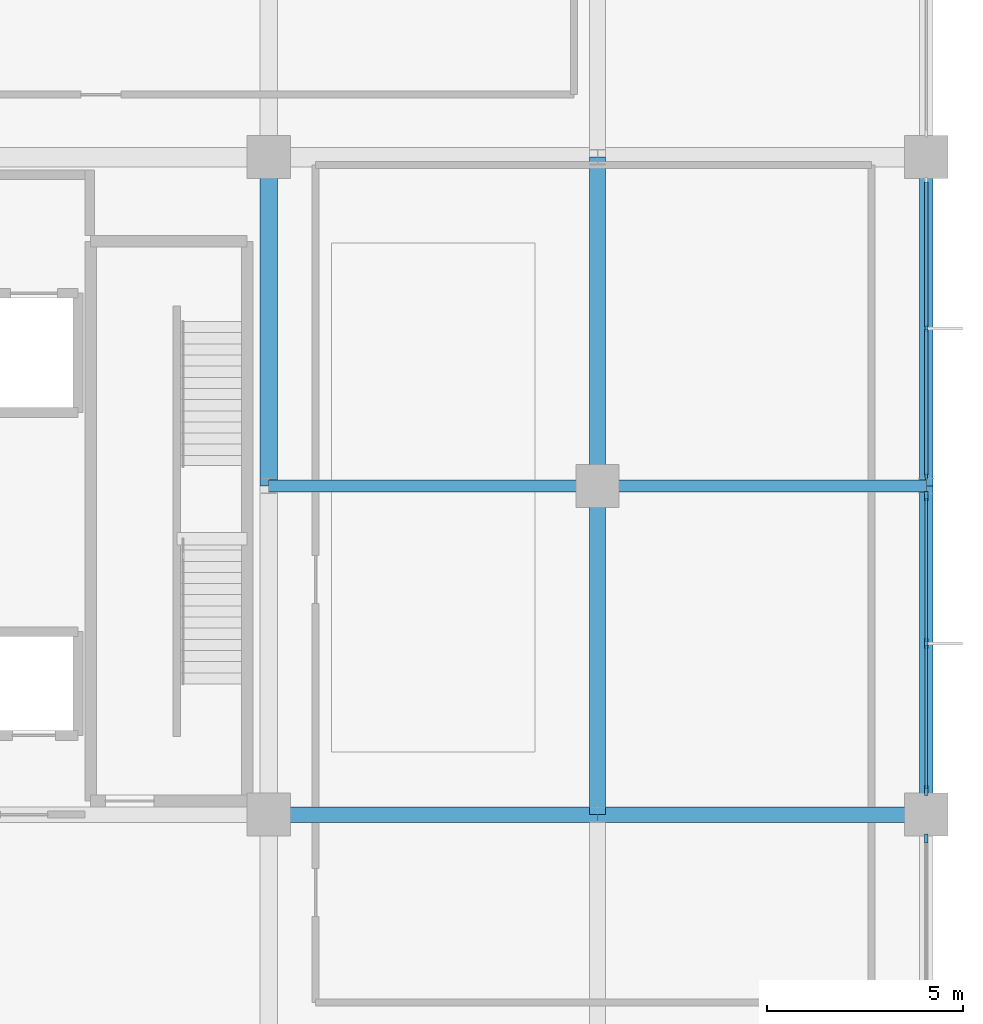
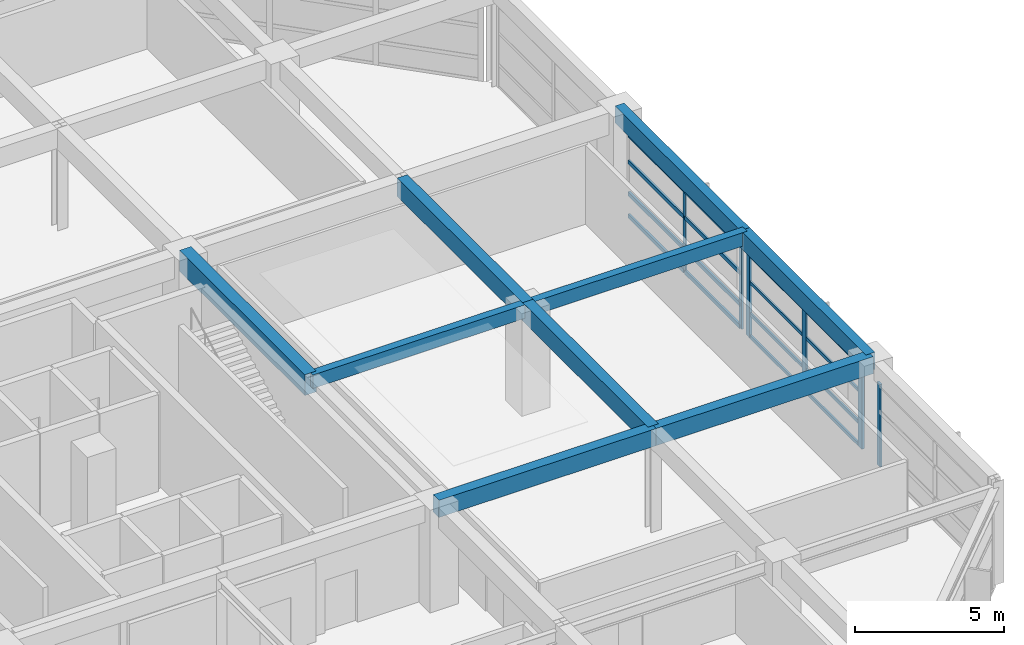
# One storey, part 22 of 34: 22 members, 9 beams, 3 elements without a shape of their own.
"""IFC4 building model written with IfcOpenShell, lengths in metres."""

import ifcopenshell
import ifcopenshell.guid

model = None  # the IFC model being written
_history = None  # IfcOwnerHistory: only IFC2X3 demands one
_inside = {}  # id of a spatial element -> (the spatial element, [elements in it])
_under = {}  # id of a project, library or spatial element -> (it, [spatial elements below it])
_declared = {}  # id of a project -> (the project, [libraries it declares])
_typed = {}  # id of a type object -> (the type object, [elements of that type])
_made_of = {}  # id of a material, layer set ... -> (it, [elements and type objects made of it])


def new_model(schema):
    """Start an empty IFC model of exactly this schema.

    Asked for "IFC4X3", IfcOpenShell would pick the latest addendum, in which some entities
    have other attributes; the version numbers below select the first issue.
    IFC2X3 requires an IfcOwnerHistory on every rooted entity: one is made here for all.
    """
    global model, _history
    if schema == "IFC4X3":
        model = ifcopenshell.file(schema_version=(4, 3, 0, 0))
    else:
        model = ifcopenshell.file(schema=schema)
    _inside.clear()
    _under.clear()
    _declared.clear()
    _typed.clear()
    _made_of.clear()
    _history = None
    if model.schema == "IFC2X3":
        org = make("IfcOrganization", Name="unknown")
        user = make(
            "IfcPersonAndOrganization",
            ThePerson=make("IfcPerson", FamilyName="unknown"),
            TheOrganization=org,
        )
        app = make(
            "IfcApplication",
            ApplicationDeveloper=org,
            Version="unknown",
            ApplicationFullName="unknown",
            ApplicationIdentifier="unknown",
        )
        _history = make(
            "IfcOwnerHistory",
            OwningUser=user,
            OwningApplication=app,
            ChangeAction="ADDED",
            CreationDate=0,
        )
    return model


def make(cls, **values):
    """One entity of the class cls with the attributes given. An attribute that is None is left unset."""
    return model.create_entity(
        cls, **{name: value for name, value in values.items() if value is not None}
    )


def rooted(cls, **values):
    """An entity with a GlobalId (a new one), such as an element, a storey or a relation."""
    return make(cls, GlobalId=ifcopenshell.guid.new(), OwnerHistory=_history, **values)


def si_unit(unit_type, name, prefix=None):
    """IfcSIUnit, for example si_unit("LENGTHUNIT", "METRE", prefix="MILLI")."""
    return make("IfcSIUnit", UnitType=unit_type, Prefix=prefix, Name=name)


def assignment(units):
    """IfcUnitAssignment: the units of a project."""
    return None if units is None else make("IfcUnitAssignment", Units=units)


def point(xyz):
    """IfcCartesianPoint."""
    return None if xyz is None else make("IfcCartesianPoint", Coordinates=xyz)


def direction(xyz):
    """IfcDirection."""
    return None if xyz is None else make("IfcDirection", DirectionRatios=xyz)


def frame(location, z_axis=None, x_axis=None):
    """IfcAxis2Placement3D, a coordinate frame: its origin and axes. An axis left out is left unset."""
    return make(
        "IfcAxis2Placement3D",
        Location=point(location),
        Axis=direction(z_axis),
        RefDirection=direction(x_axis),
    )


def frame_2d(location, x_axis=None):
    """IfcAxis2Placement2D, a coordinate frame in the plane: its origin and x axis."""
    return make(
        "IfcAxis2Placement2D", Location=point(location), RefDirection=direction(x_axis)
    )


def origin():
    """The frame at (0, 0, 0) with its axes left unset."""
    return frame((0.0, 0.0, 0.0))


def origin_2d():
    """The frame at (0, 0) in the plane with its x axis left unset."""
    return frame_2d((0.0, 0.0))


def place(relative_to, where):
    """IfcLocalPlacement: puts the frame where relative to a parent placement (None: the world)."""
    return make(
        "IfcLocalPlacement", PlacementRelTo=relative_to, RelativePlacement=where
    )


def context(
    kind, dimensions, precision=None, world=None, true_north=None, identifier=None
):
    """IfcGeometricRepresentationContext, for example the 3D "Model" context."""
    return make(
        "IfcGeometricRepresentationContext",
        ContextIdentifier=identifier,
        ContextType=kind,
        CoordinateSpaceDimension=dimensions,
        Precision=precision,
        WorldCoordinateSystem=world,
        TrueNorth=true_north,
    )


def subcontext(parent, identifier, kind, view, scale=None):
    """IfcGeometricRepresentationSubContext, for example "Body" below "Model"."""
    return make(
        "IfcGeometricRepresentationSubContext",
        ContextIdentifier=identifier,
        ContextType=kind,
        ParentContext=parent,
        TargetScale=scale,
        TargetView=view,
    )


def project(units=None, contexts=None):
    """IfcProject with its units and contexts."""
    return rooted(
        "IfcProject",
        Name="project",
        RepresentationContexts=contexts,
        UnitsInContext=assignment(units),
    )


def spatial(cls, under=None, at=None, **own):
    """A site, building, storey or space (cls), placed at a placement, below another one or the project."""
    s = rooted(cls, ObjectPlacement=at, **own)
    if under is not None:
        _under.setdefault(under.id(), (under, []))[1].append(s)
    return s


def profile(cls, at=None, kind="AREA", **sizes):
    """A parametric profile (cls). Its sizes go by their IFC names, for example OverallWidth=200.0."""
    return make(cls, ProfileType=kind, Position=at, **sizes)


def rectangle(**sizes):
    """IfcRectangleProfileDef."""
    return profile("IfcRectangleProfileDef", **sizes)


def extrude(swept, where, along, depth):
    """IfcExtrudedAreaSolid: the profile swept, set in the frame where, extruded along a direction by depth."""
    return make(
        "IfcExtrudedAreaSolid",
        SweptArea=swept,
        Position=where,
        ExtrudedDirection=direction(along),
        Depth=depth,
    )


def shape(context_of_items, identifier, shape_type, items):
    """IfcShapeRepresentation: the items that make up one representation, for example the "Body"."""
    return make(
        "IfcShapeRepresentation",
        ContextOfItems=context_of_items,
        RepresentationIdentifier=identifier,
        RepresentationType=shape_type,
        Items=items,
    )


def material(Name=None, Category=None):
    """IfcMaterial."""
    return make("IfcMaterial", Name=Name, Category=Category)


def material_profile(
    of_material, cross_section, Name=None, Category=None, Priority=None
):
    """IfcMaterialProfile: a cross section and its material."""
    return make(
        "IfcMaterialProfile",
        Name=Name,
        Material=of_material,
        Profile=cross_section,
        Priority=Priority,
        Category=Category,
    )


def profile_set(profiles, Name=None, composite=None):
    """IfcMaterialProfileSet."""
    return make(
        "IfcMaterialProfileSet",
        Name=Name,
        MaterialProfiles=profiles,
        CompositeProfile=composite,
    )


def made_of(thing, what):
    """Note that an element or type object is made of a material, layer set ...; save() writes the relation."""
    if what is not None:
        _made_of.setdefault(what.id(), (what, []))[1].append(thing)
    return thing


def type_object(cls, material=None, **own):
    """A type object (cls), such as IfcWallType, which elements share."""
    return made_of(rooted(cls, **own), material)


def element(
    cls,
    number,
    at=None,
    inside=None,
    cuts=None,
    type_object=None,
    material=None,
    context=None,
    identifier="Body",
    shape_type=None,
    held_by="IfcProductDefinitionShape",
    body=None,
    shapes=None,
    **own,
):
    """One element of the class cls, such as IfcWall. Its Tag is "e" and its number.

    at: its placement. inside: the storey or other place that contains it. cuts: it is an
    opening in that element (IfcRelVoidsElement). A single representation is given by context,
    identifier, shape_type and body (its items); several are given by shapes. held_by: the class
    of the entity that holds the representations. save() writes the other relations.
    """
    e = rooted(cls, Tag="e%d" % number, ObjectPlacement=at, **own)
    if body is not None:
        shapes = [shape(context, identifier, shape_type, body)]
    if shapes is not None:
        e.Representation = make(held_by, Representations=shapes)
    if inside is not None:
        _inside.setdefault(inside.id(), (inside, []))[1].append(e)
    if cuts is not None:
        rooted(
            "IfcRelVoidsElement", RelatingBuildingElement=cuts, RelatedOpeningElement=e
        )
    if type_object is not None:
        _typed.setdefault(type_object.id(), (type_object, []))[1].append(e)
    return made_of(e, material)


def aggregate(whole, parts):
    """IfcRelAggregates: a whole, such as a stair, and the parts it consists of."""
    return rooted("IfcRelAggregates", RelatingObject=whole, RelatedObjects=parts)


def save(model, path):
    """Write the relations noted so far, then the file.

    IfcRelAggregates (storeys below a building ...), IfcRelContainedInSpatialStructure (elements
    in a storey), IfcRelDefinesByType, IfcRelAssociatesMaterial and IfcRelDeclares: one each for
    every whole, place, type object, material and project.
    """
    for whole, parts in _under.values():
        aggregate(whole, parts)
    for where, things in _inside.values():
        rooted(
            "IfcRelContainedInSpatialStructure",
            RelatedElements=things,
            RelatingStructure=where,
        )
    for kind, things in _typed.values():
        rooted("IfcRelDefinesByType", RelatedObjects=things, RelatingType=kind)
    for what, things in _made_of.values():
        rooted("IfcRelAssociatesMaterial", RelatedObjects=things, RelatingMaterial=what)
    for by, libraries in _declared.values():
        rooted("IfcRelDeclares", RelatingContext=by, RelatedDefinitions=libraries)
    model.write(path)


model = new_model("IFC4")

# Units and contexts
model_context = context("Model", 3, precision=1e-05, world=origin(), true_north=direction((0.0, 1.0)))
body_context = subcontext(model_context, "Body", "Model", "MODEL_VIEW")
ifc_project = project(units=[si_unit("LENGTHUNIT", "METRE"), si_unit("AREAUNIT", "SQUARE_METRE"), si_unit("VOLUMEUNIT", "CUBIC_METRE"), si_unit("PLANEANGLEUNIT", "RADIAN"), si_unit("MASSUNIT", "GRAM", prefix="KILO")], contexts=[model_context])

# Site, building, storey
site_placement = place(None, origin())
site = spatial("IfcSite", under=ifc_project, at=site_placement, CompositionType="ELEMENT")
building_placement = place(site_placement, origin())
building = spatial("IfcBuilding", under=site, at=building_placement, Name="Xuanlan Plaza Opera House", CompositionType="ELEMENT")
storey_placement = place(building_placement, frame((0.0, 0.0, 27.89990234375)))
storey = spatial("IfcBuildingStorey", under=building, at=storey_placement, Name="L06", CompositionType="ELEMENT", Elevation=27.89990234375)

# Curtain wall, members
ifc_material_1 = material(Name="Anodised Aluminium 6063-T6 and Low-E Glass", Category="aluminium")
curtain_wall_type_1 = type_object("IfcCurtainWallType", Name="ENV-CW-CW-04", PredefinedType="USERDEFINED", material=ifc_material_1)
curtain_wall_1_placement = place(storey_placement, origin())
curtain_wall_1 = element("IfcCurtainWall", 1, at=curtain_wall_1_placement, inside=storey, type_object=curtain_wall_type_1, Name="Unitised Curtain Wall L06-008", ObjectType="UNITISED CURTAIN WALL", PredefinedType="USERDEFINED")
ifc_material_2 = material(Name="Anodised Aluminium 6063-T6", Category="aluminium")
ifc_material_profile_1 = material_profile(ifc_material_2, rectangle(XDim=0.06494140625, YDim=0.159912109375, at=origin_2d()), Name="ALU-M 65x160")
ifc_profile_set_1 = profile_set([ifc_material_profile_1], Name="Anodised Aluminium 6063-T6")
member_type_1 = type_object("IfcMemberType", Name="ENV-CWM-01", PredefinedType="MULLION", material=ifc_profile_set_1)
member_1_placement = place(storey_placement, frame((168.0, 59.052490234375, 0.0), z_axis=(0.0, 0.0, 1.0), x_axis=(-1.0, 0.0, 0.0)))
member_1 = element("IfcMember", 2, at=member_1_placement, type_object=member_type_1, Name="CW-04 mullion 1", PredefinedType="MULLION", context=body_context, shape_type="SweptSolid", body=[
    extrude(rectangle(XDim=0.06494140625, YDim=0.159912109375, at=origin_2d()), origin(), (0.0, 0.0, 1.0), 3.380126953125),
])
member_2_placement = place(storey_placement, frame((168.0, 62.824951171875, 0.0), z_axis=(0.0, 0.0, 1.0), x_axis=(-1.0, 0.0, 0.0)))
member_2 = element("IfcMember", 3, at=member_2_placement, type_object=member_type_1, Name="CW-04 mullion 2", PredefinedType="MULLION", context=body_context, shape_type="SweptSolid", body=[
    extrude(rectangle(XDim=0.06494140625, YDim=0.159912109375, at=origin_2d()), origin(), (0.0, 0.0, 1.0), 3.380126953125),
])

# Curtain wall, member
curtain_wall_type_2 = type_object("IfcCurtainWallType", Name="ENV-CW-CW-02", PredefinedType="USERDEFINED", material=ifc_material_1)
curtain_wall_2_placement = place(storey_placement, origin())
curtain_wall_2 = element("IfcCurtainWall", 4, at=curtain_wall_2_placement, inside=storey, type_object=curtain_wall_type_2, Name="Unitised Curtain Wall L06-006", ObjectType="UNITISED CURTAIN WALL", PredefinedType="USERDEFINED")
ifc_material_profile_2 = material_profile(ifc_material_2, rectangle(XDim=0.080078125, YDim=0.219970703125, at=origin_2d()), Name="ALU-M 80x220")
ifc_profile_set_2 = profile_set([ifc_material_profile_2], Name="Anodised Aluminium 6063-T6")
member_type_2 = type_object("IfcMemberType", Name="ENV-CWM-04", PredefinedType="MULLION", material=ifc_profile_set_2)
member_3_placement = place(storey_placement, frame((168.0, 49.7900390625, 0.0), z_axis=(0.0, 0.0, 1.0), x_axis=(-1.0, 0.0, 0.0)))
member_3 = element("IfcMember", 5, at=member_3_placement, type_object=member_type_2, Name="CW-02 mullion 3", PredefinedType="MULLION", context=body_context, shape_type="SweptSolid", body=[
    extrude(rectangle(XDim=0.080078125, YDim=0.219970703125, at=origin_2d()), origin(), (0.0, 0.0, 1.0), 3.380126953125),
])
aggregate(curtain_wall_2, [member_3])

# Curtain wall, members
curtain_wall_type_3 = type_object("IfcCurtainWallType", Name="ENV-CW-CW-03", PredefinedType="USERDEFINED", material=ifc_material_1)
curtain_wall_3_placement = place(storey_placement, origin())
curtain_wall_3 = element("IfcCurtainWall", 6, at=curtain_wall_3_placement, inside=storey, type_object=curtain_wall_type_3, Name="Unitised Curtain Wall L06-007", ObjectType="UNITISED CURTAIN WALL", PredefinedType="USERDEFINED")
ifc_material_profile_3 = material_profile(ifc_material_2, rectangle(XDim=0.090087890625, YDim=0.25, at=origin_2d()), Name="ALU-M 90x250")
ifc_profile_set_3 = profile_set([ifc_material_profile_3], Name="Anodised Aluminium 6063-T6")
member_type_3 = type_object("IfcMemberType", Name="ENV-CWM-05", PredefinedType="MULLION", material=ifc_profile_set_3)
member_4_placement = place(storey_placement, frame((168.0, 51.014892578125, 0.0), z_axis=(0.0, 0.0, 1.0), x_axis=(-1.0, 0.0, 0.0)))
member_4 = element("IfcMember", 7, at=member_4_placement, type_object=member_type_3, Name="CW-03 mullion 1", PredefinedType="MULLION", context=body_context, shape_type="SweptSolid", body=[
    extrude(rectangle(XDim=0.090087890625, YDim=0.25, at=origin_2d()), origin(), (0.0, 0.0, 1.0), 3.380126953125),
])
member_5_placement = place(storey_placement, frame((168.0, 54.77490234375, 0.0), z_axis=(0.0, 0.0, 1.0), x_axis=(-1.0, 0.0, 0.0)))
member_5 = element("IfcMember", 8, at=member_5_placement, type_object=member_type_3, Name="CW-03 mullion 2", PredefinedType="MULLION", context=body_context, shape_type="SweptSolid", body=[
    extrude(rectangle(XDim=0.090087890625, YDim=0.25, at=origin_2d()), origin(), (0.0, 0.0, 1.0), 3.380126953125),
])
member_6_placement = place(storey_placement, frame((168.0, 58.534912109375, 0.0), z_axis=(0.0, 0.0, 1.0), x_axis=(-1.0, 0.0, 0.0)))
member_6 = element("IfcMember", 9, at=member_6_placement, type_object=member_type_3, Name="CW-03 mullion 3", PredefinedType="MULLION", context=body_context, shape_type="SweptSolid", body=[
    extrude(rectangle(XDim=0.090087890625, YDim=0.25, at=origin_2d()), origin(), (0.0, 0.0, 1.0), 3.380126953125),
])
ifc_material_profile_4 = material_profile(ifc_material_2, rectangle(XDim=0.070068359375, YDim=0.135009765625, at=origin_2d()), Name="ALU-T 70x135")
ifc_profile_set_4 = profile_set([ifc_material_profile_4], Name="Anodised Aluminium 6063-T6")
member_type_4 = type_object("IfcMemberType", Name="ENV-CWT-02", PredefinedType="USERDEFINED", material=ifc_profile_set_4)
member_7_placement = place(storey_placement, frame((168.0, 51.06005859375, 0.03515625), z_axis=(0.0, 1.0, 0.0), x_axis=(-1.0, 0.0, 0.0)))
member_7 = element("IfcMember", 10, at=member_7_placement, type_object=member_type_4, Name="CW-03 transom 1.1", ObjectType="TRANSOM", PredefinedType="USERDEFINED", context=body_context, shape_type="SweptSolid", body=[
    extrude(rectangle(XDim=0.070068359375, YDim=0.135009765625, at=origin_2d()), origin(), (0.0, 0.0, 1.0), 3.669921875),
])
member_8_placement = place(storey_placement, frame((168.0, 51.06005859375, 0.9501953125), z_axis=(0.0, 1.0, 0.0), x_axis=(-1.0, 0.0, 0.0)))
member_8 = element("IfcMember", 11, at=member_8_placement, type_object=member_type_4, Name="CW-03 transom 1.2", ObjectType="TRANSOM", PredefinedType="USERDEFINED", context=body_context, shape_type="SweptSolid", body=[
    extrude(rectangle(XDim=0.070068359375, YDim=0.135009765625, at=origin_2d()), origin(), (0.0, 0.0, 1.0), 3.669921875),
])
member_9_placement = place(storey_placement, frame((168.0, 51.06005859375, 2.25), z_axis=(0.0, 1.0, 0.0), x_axis=(-1.0, 0.0, 0.0)))
member_9 = element("IfcMember", 12, at=member_9_placement, type_object=member_type_4, Name="CW-03 transom 1.3", ObjectType="TRANSOM", PredefinedType="USERDEFINED", context=body_context, shape_type="SweptSolid", body=[
    extrude(rectangle(XDim=0.070068359375, YDim=0.135009765625, at=origin_2d()), origin(), (0.0, 0.0, 1.0), 3.669921875),
])
member_10_placement = place(storey_placement, frame((168.0, 51.06005859375, 3.34521484375), z_axis=(0.0, 1.0, 0.0), x_axis=(-1.0, 0.0, 0.0)))
member_10 = element("IfcMember", 13, at=member_10_placement, type_object=member_type_4, Name="CW-03 transom 1.4", ObjectType="TRANSOM", PredefinedType="USERDEFINED", context=body_context, shape_type="SweptSolid", body=[
    extrude(rectangle(XDim=0.070068359375, YDim=0.135009765625, at=origin_2d()), origin(), (0.0, 0.0, 1.0), 3.669921875),
])
member_11_placement = place(storey_placement, frame((168.0, 54.820068359375, 0.03515625), z_axis=(0.0, 1.0, 0.0), x_axis=(-1.0, 0.0, 0.0)))
member_11 = element("IfcMember", 14, at=member_11_placement, type_object=member_type_4, Name="CW-03 transom 2.1", ObjectType="TRANSOM", PredefinedType="USERDEFINED", context=body_context, shape_type="SweptSolid", body=[
    extrude(rectangle(XDim=0.070068359375, YDim=0.135009765625, at=origin_2d()), origin(), (0.0, 0.0, 1.0), 3.669921875),
])
member_12_placement = place(storey_placement, frame((168.0, 54.820068359375, 0.9501953125), z_axis=(0.0, 1.0, 0.0), x_axis=(-1.0, 0.0, 0.0)))
member_12 = element("IfcMember", 15, at=member_12_placement, type_object=member_type_4, Name="CW-03 transom 2.2", ObjectType="TRANSOM", PredefinedType="USERDEFINED", context=body_context, shape_type="SweptSolid", body=[
    extrude(rectangle(XDim=0.070068359375, YDim=0.135009765625, at=origin_2d()), origin(), (0.0, 0.0, 1.0), 3.669921875),
])
member_13_placement = place(storey_placement, frame((168.0, 54.820068359375, 2.25), z_axis=(0.0, 1.0, 0.0), x_axis=(-1.0, 0.0, 0.0)))
member_13 = element("IfcMember", 16, at=member_13_placement, type_object=member_type_4, Name="CW-03 transom 2.3", ObjectType="TRANSOM", PredefinedType="USERDEFINED", context=body_context, shape_type="SweptSolid", body=[
    extrude(rectangle(XDim=0.070068359375, YDim=0.135009765625, at=origin_2d()), origin(), (0.0, 0.0, 1.0), 3.669921875),
])
member_14_placement = place(storey_placement, frame((168.0, 54.820068359375, 3.34521484375), z_axis=(0.0, 1.0, 0.0), x_axis=(-1.0, 0.0, 0.0)))
member_14 = element("IfcMember", 17, at=member_14_placement, type_object=member_type_4, Name="CW-03 transom 2.4", ObjectType="TRANSOM", PredefinedType="USERDEFINED", context=body_context, shape_type="SweptSolid", body=[
    extrude(rectangle(XDim=0.070068359375, YDim=0.135009765625, at=origin_2d()), origin(), (0.0, 0.0, 1.0), 3.669921875),
])
aggregate(curtain_wall_3, [member_4, member_5, member_6, member_7, member_8, member_9, member_10, member_11, member_12, member_13, member_14])

# Member
ifc_material_profile_5 = material_profile(ifc_material_2, rectangle(XDim=0.080078125, YDim=0.1650390625, at=origin_2d()), Name="ALU-T 80x165")
ifc_profile_set_5 = profile_set([ifc_material_profile_5], Name="Anodised Aluminium 6063-T6")
member_type_5 = type_object("IfcMemberType", Name="ENV-CWT-04", PredefinedType="USERDEFINED", material=ifc_profile_set_5)
member_15_placement = place(storey_placement, frame((168.0, 59.0849609375, 0.0400390625), z_axis=(0.0, 1.0, 0.0), x_axis=(-1.0, 0.0, 0.0)))
member_15 = element("IfcMember", 18, at=member_15_placement, type_object=member_type_5, Name="CW-04 transom 1.1", ObjectType="TRANSOM", PredefinedType="USERDEFINED", context=body_context, shape_type="SweptSolid", body=[
    extrude(rectangle(XDim=0.080078125, YDim=0.1650390625, at=origin_2d()), origin(), (0.0, 0.0, 1.0), 3.70751953125),
])

member_16_placement = place(storey_placement, frame((168.0, 59.0849609375, 0.9501953125), z_axis=(0.0, 1.0, 0.0), x_axis=(-1.0, 0.0, 0.0)))
member_16 = element("IfcMember", 19, at=member_16_placement, type_object=member_type_5, Name="CW-04 transom 1.2", ObjectType="TRANSOM", PredefinedType="USERDEFINED", context=body_context, shape_type="SweptSolid", body=[
    extrude(rectangle(XDim=0.080078125, YDim=0.1650390625, at=origin_2d()), origin(), (0.0, 0.0, 1.0), 3.70751953125),
])

member_17_placement = place(storey_placement, frame((168.0, 59.0849609375, 2.25), z_axis=(0.0, 1.0, 0.0), x_axis=(-1.0, 0.0, 0.0)))
member_17 = element("IfcMember", 20, at=member_17_placement, type_object=member_type_5, Name="CW-04 transom 1.3", ObjectType="TRANSOM", PredefinedType="USERDEFINED", context=body_context, shape_type="SweptSolid", body=[
    extrude(rectangle(XDim=0.080078125, YDim=0.1650390625, at=origin_2d()), origin(), (0.0, 0.0, 1.0), 3.70751953125),
])

member_18_placement = place(storey_placement, frame((168.0, 59.0849609375, 3.340087890625), z_axis=(0.0, 1.0, 0.0), x_axis=(-1.0, 0.0, 0.0)))
member_18 = element("IfcMember", 21, at=member_18_placement, type_object=member_type_5, Name="CW-04 transom 1.4", ObjectType="TRANSOM", PredefinedType="USERDEFINED", context=body_context, shape_type="SweptSolid", body=[
    extrude(rectangle(XDim=0.080078125, YDim=0.1650390625, at=origin_2d()), origin(), (0.0, 0.0, 1.0), 3.70751953125),
])

member_19_placement = place(storey_placement, frame((168.0, 62.857421875, 0.0400390625), z_axis=(0.0, 1.0, 0.0), x_axis=(-1.0, 0.0, 0.0)))
member_19 = element("IfcMember", 22, at=member_19_placement, type_object=member_type_5, Name="CW-04 transom 2.1", ObjectType="TRANSOM", PredefinedType="USERDEFINED", context=body_context, shape_type="SweptSolid", body=[
    extrude(rectangle(XDim=0.080078125, YDim=0.1650390625, at=origin_2d()), origin(), (0.0, 0.0, 1.0), 3.70751953125),
])

member_20_placement = place(storey_placement, frame((168.0, 62.857421875, 0.9501953125), z_axis=(0.0, 1.0, 0.0), x_axis=(-1.0, 0.0, 0.0)))
member_20 = element("IfcMember", 23, at=member_20_placement, type_object=member_type_5, Name="CW-04 transom 2.2", ObjectType="TRANSOM", PredefinedType="USERDEFINED", context=body_context, shape_type="SweptSolid", body=[
    extrude(rectangle(XDim=0.080078125, YDim=0.1650390625, at=origin_2d()), origin(), (0.0, 0.0, 1.0), 3.70751953125),
])

member_21_placement = place(storey_placement, frame((168.0, 62.857421875, 2.25), z_axis=(0.0, 1.0, 0.0), x_axis=(-1.0, 0.0, 0.0)))
member_21 = element("IfcMember", 24, at=member_21_placement, type_object=member_type_5, Name="CW-04 transom 2.3", ObjectType="TRANSOM", PredefinedType="USERDEFINED", context=body_context, shape_type="SweptSolid", body=[
    extrude(rectangle(XDim=0.080078125, YDim=0.1650390625, at=origin_2d()), origin(), (0.0, 0.0, 1.0), 3.70751953125),
])

member_22_placement = place(storey_placement, frame((168.0, 62.857421875, 3.340087890625), z_axis=(0.0, 1.0, 0.0), x_axis=(-1.0, 0.0, 0.0)))
member_22 = element("IfcMember", 25, at=member_22_placement, type_object=member_type_5, Name="CW-04 transom 2.4", ObjectType="TRANSOM", PredefinedType="USERDEFINED", context=body_context, shape_type="SweptSolid", body=[
    extrude(rectangle(XDim=0.080078125, YDim=0.1650390625, at=origin_2d()), origin(), (0.0, 0.0, 1.0), 3.70751953125),
])

aggregate(curtain_wall_1, [member_1, member_2, member_15, member_16, member_17, member_18, member_19, member_20, member_21, member_22])

# Beams
ifc_material_3 = material(Name="Concrete C40", Category="concrete")
ifc_material_profile_6 = material_profile(ifc_material_3, rectangle(XDim=0.449951171875, YDim=0.85009765625, at=origin_2d()), Name="RC-BM 450x850")
ifc_profile_set_6 = profile_set([ifc_material_profile_6], Name="Concrete C40")
beam_type_1 = type_object("IfcBeamType", Name="STR-BM-B-04", PredefinedType="BEAM", material=ifc_profile_set_6)
beam_1_placement = place(storey_placement, frame((151.199951171875, 58.800048828125, 3.775146484375), z_axis=(0.0, 1.0, 0.0), x_axis=(-1.0, 0.0, 0.0)))
element("IfcBeam", 26, at=beam_1_placement, inside=storey, type_object=beam_type_1, Name="Grid Beam Y L06 19/H-I", PredefinedType="BEAM", context=body_context, shape_type="SweptSolid", body=[
    extrude(rectangle(XDim=0.449951171875, YDim=0.85009765625, at=origin_2d()), origin(), (0.0, 0.0, 1.0), 8.39990234375),
])
ifc_material_profile_7 = material_profile(ifc_material_3, rectangle(XDim=0.39990234375, YDim=0.75, at=origin_2d()), Name="RC-BM 400x750")
ifc_profile_set_7 = profile_set([ifc_material_profile_7], Name="Concrete C40")
beam_type_2 = type_object("IfcBeamType", Name="STR-BM-B-06", PredefinedType="BEAM", material=ifc_profile_set_7)
beam_2_placement = place(storey_placement, frame((159.60009765625, 50.39990234375, 3.8251953125), z_axis=(0.0, 1.0, 0.0), x_axis=(-1.0, 0.0, 0.0)))
element("IfcBeam", 27, at=beam_2_placement, inside=storey, type_object=beam_type_2, Name="Grid Beam Y L06 20/G-H", PredefinedType="BEAM", context=body_context, shape_type="SweptSolid", body=[
    extrude(rectangle(XDim=0.39990234375, YDim=0.75, at=origin_2d()), origin(), (0.0, 0.0, 1.0), 8.400146484375),
])
beam_3_placement = place(storey_placement, frame((159.60009765625, 58.800048828125, 3.8251953125), z_axis=(0.0, 1.0, 0.0), x_axis=(-1.0, 0.0, 0.0)))
element("IfcBeam", 28, at=beam_3_placement, inside=storey, type_object=beam_type_2, Name="Grid Beam Y L06 20/H-I", PredefinedType="BEAM", context=body_context, shape_type="SweptSolid", body=[
    extrude(rectangle(XDim=0.39990234375, YDim=0.75, at=origin_2d()), origin(), (0.0, 0.0, 1.0), 8.39990234375),
])
ifc_material_profile_8 = material_profile(ifc_material_3, rectangle(XDim=0.39990234375, YDim=0.699951171875, at=origin_2d()), Name="RC-BM 400x700")
ifc_profile_set_8 = profile_set([ifc_material_profile_8], Name="Concrete C40")
beam_type_3 = type_object("IfcBeamType", Name="STR-BM-B-07", PredefinedType="BEAM", material=ifc_profile_set_8)
beam_4_placement = place(storey_placement, frame((151.199951171875, 50.39990234375, 3.85009765625), z_axis=(1.0, 0.0, 0.0), x_axis=(0.0, 1.0, 0.0)))
element("IfcBeam", 29, at=beam_4_placement, inside=storey, type_object=beam_type_3, Name="Grid Beam X L06 19-20/G", PredefinedType="BEAM", context=body_context, shape_type="SweptSolid", body=[
    extrude(rectangle(XDim=0.39990234375, YDim=0.699951171875, at=origin_2d()), origin(), (0.0, 0.0, 1.0), 8.400146484375),
])
beam_5_placement = place(storey_placement, frame((159.60009765625, 50.39990234375, 3.85009765625), z_axis=(1.0, 0.0, 0.0), x_axis=(0.0, 1.0, 0.0)))
element("IfcBeam", 30, at=beam_5_placement, inside=storey, type_object=beam_type_3, Name="Grid Beam X L06 20-21/G", PredefinedType="BEAM", context=body_context, shape_type="SweptSolid", body=[
    extrude(rectangle(XDim=0.39990234375, YDim=0.699951171875, at=origin_2d()), origin(), (0.0, 0.0, 1.0), 8.39990234375),
])
ifc_material_profile_9 = material_profile(ifc_material_3, rectangle(XDim=0.300048828125, YDim=0.550048828125, at=origin_2d()), Name="RC-BM 300x550")
ifc_profile_set_9 = profile_set([ifc_material_profile_9], Name="Concrete C40")
beam_type_4 = type_object("IfcBeamType", Name="STR-BM-B-09", PredefinedType="BEAM", material=ifc_profile_set_9)
beam_6_placement = place(storey_placement, frame((151.199951171875, 58.800048828125, 3.925048828125), z_axis=(1.0, 0.0, 0.0), x_axis=(0.0, 1.0, 0.0)))
element("IfcBeam", 31, at=beam_6_placement, inside=storey, type_object=beam_type_4, Name="Grid Beam X L06 19-20/H", PredefinedType="BEAM", context=body_context, shape_type="SweptSolid", body=[
    extrude(rectangle(XDim=0.300048828125, YDim=0.550048828125, at=origin_2d()), origin(), (0.0, 0.0, 1.0), 8.400146484375),
])
beam_7_placement = place(storey_placement, frame((159.60009765625, 58.800048828125, 3.925048828125), z_axis=(1.0, 0.0, 0.0), x_axis=(0.0, 1.0, 0.0)))
element("IfcBeam", 32, at=beam_7_placement, inside=storey, type_object=beam_type_4, Name="Grid Beam X L06 20-21/H", PredefinedType="BEAM", context=body_context, shape_type="SweptSolid", body=[
    extrude(rectangle(XDim=0.300048828125, YDim=0.550048828125, at=origin_2d()), origin(), (0.0, 0.0, 1.0), 8.39990234375),
])
ifc_material_profile_10 = material_profile(ifc_material_3, rectangle(XDim=0.35009765625, YDim=0.699951171875, at=origin_2d()), Name="RC-SPD 350x700")
ifc_profile_set_10 = profile_set([ifc_material_profile_10], Name="Concrete C40")
beam_type_5 = type_object("IfcBeamType", Name="STR-BM-SP-02", PredefinedType="SPANDREL", material=ifc_profile_set_10)
beam_8_placement = place(storey_placement, frame((168.0, 50.39990234375, 3.85009765625), z_axis=(0.0, 1.0, 0.0), x_axis=(-1.0, 0.0, 0.0)))
element("IfcBeam", 33, at=beam_8_placement, inside=storey, type_object=beam_type_5, Name="Grid Beam Y L06 21/G-H", PredefinedType="SPANDREL", context=body_context, shape_type="SweptSolid", body=[
    extrude(rectangle(XDim=0.35009765625, YDim=0.699951171875, at=origin_2d()), origin(), (0.0, 0.0, 1.0), 8.400146484375),
])
beam_9_placement = place(storey_placement, frame((168.0, 58.800048828125, 3.85009765625), z_axis=(0.0, 1.0, 0.0), x_axis=(-1.0, 0.0, 0.0)))
element("IfcBeam", 34, at=beam_9_placement, inside=storey, type_object=beam_type_5, Name="Grid Beam Y L06 21/H-I", PredefinedType="SPANDREL", context=body_context, shape_type="SweptSolid", body=[
    extrude(rectangle(XDim=0.35009765625, YDim=0.699951171875, at=origin_2d()), origin(), (0.0, 0.0, 1.0), 8.39990234375),
])

save(model, "model.ifc")
